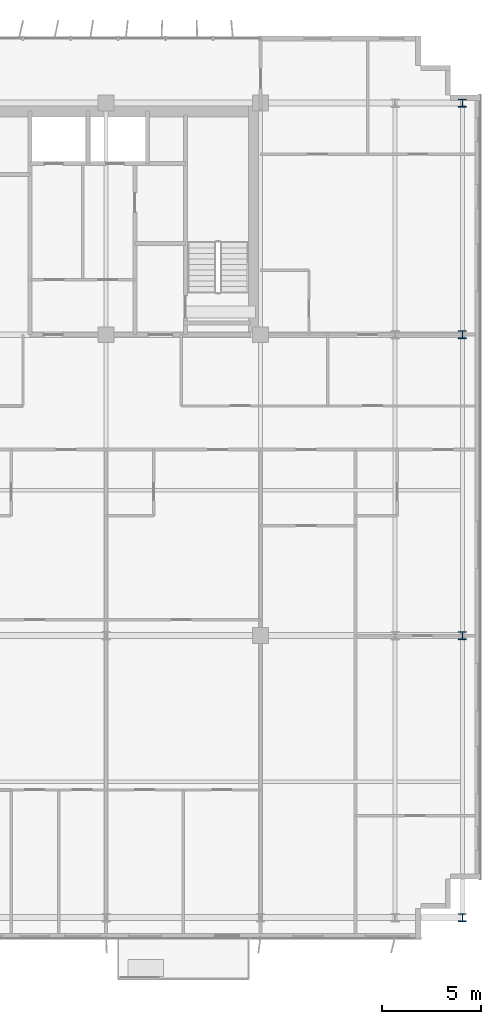
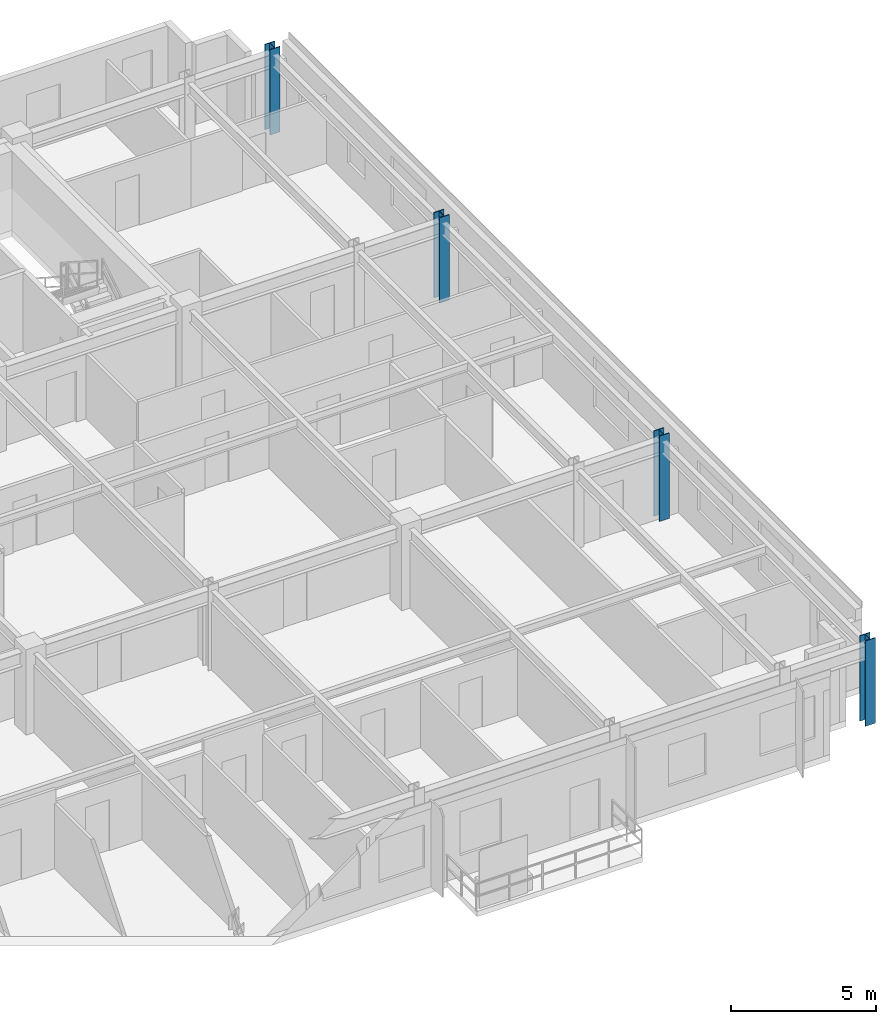
# One storey, part 3 of 22: 4 columns.
"""IFC4 building model written with IfcOpenShell, lengths in metres."""

from ifc_helpers import new_model, si_unit, direction, frame, origin, origin_2d, place, context, subcontext, project, spatial, i_section, extrude, source, transform, mapped, material, material_profile, profile_set, type_object, element, save


model = new_model("IFC4")

# Units and contexts
model_context = context("Model", 3, precision=1e-05, world=origin(), true_north=direction((0.0, 1.0)))
body_context = subcontext(model_context, "Body", "Model", "MODEL_VIEW")
ifc_project = project(units=[si_unit("LENGTHUNIT", "METRE"), si_unit("AREAUNIT", "SQUARE_METRE"), si_unit("VOLUMEUNIT", "CUBIC_METRE"), si_unit("PLANEANGLEUNIT", "RADIAN"), si_unit("MASSUNIT", "GRAM", prefix="KILO")], contexts=[model_context])

# Site, building, storey
site_placement = place(None, origin())
site = spatial("IfcSite", under=ifc_project, at=site_placement, CompositionType="ELEMENT")
building_placement = place(site_placement, origin())
building = spatial("IfcBuilding", under=site, at=building_placement, Name="Trelvane Seafront Commons", CompositionType="ELEMENT")
storey_placement = place(building_placement, frame((0.0, 0.0, 85.300048828125)))
storey = spatial("IfcBuildingStorey", under=building, at=storey_placement, Name="L21", CompositionType="ELEMENT", Elevation=85.300048828125)

# Columns
ifc_material = material(Name="Steel SM355 (S355)", Category="steel")
ifc_material_profile = material_profile(ifc_material, i_section(OverallWidth=0.39990234375, OverallDepth=0.39990234375, WebThickness=0.02197265625, FlangeThickness=0.034912109375, at=origin_2d()), Name="HD-400x400x22x35")
ifc_profile_set = profile_set([ifc_material_profile], Name="Steel SM355 (S355)")
column_type = type_object("IfcColumnType", Name="STR-COL-HD400", PredefinedType="COLUMN", material=ifc_profile_set)
shared_shape = source(origin(), body_context, "Body", "SweptSolid", [
    extrude(i_section(OverallWidth=0.39990234375, OverallDepth=0.39990234375, WebThickness=0.02197265625, FlangeThickness=0.034912109375, at=origin_2d()), origin(), (0.0, 0.0, 1.0), 3.599853515625),
])
for number, where, z_axis, x_axis, name in (
    (1, (69.0, 3.949951171875, 0.0), (0.0, 0.0, 1.0), (1.0, 0.0, 0.0), "L21 Column TC-S69.0"),
    (2, (69.0, 18.199951171875, 0.0), (0.0, 0.0, 1.0), (1.0, 0.0, 0.0), "L21 Column TC-M69.0"),
    (3, (69.0, 33.39990234375, 0.0), (0.0, 0.0, 1.0), (1.0, 0.0, 0.0), "L21 Column TC-CS69.0"),
    (4, (69.0, 45.10009765625, 0.0), (0.0, 0.0, 1.0), (1.0, 0.0, 0.0), "L21 Column TC-CN69.0"),
):
    element("IfcColumn", number, at=place(storey_placement, frame(where, z_axis=z_axis, x_axis=x_axis)), inside=storey, type_object=column_type, Name=name, PredefinedType="COLUMN", context=body_context, shape_type="MappedRepresentation", body=[
        mapped(shared_shape, transform((0.0, 0.0, 0.0), x_axis=(1.0, 0.0, 0.0), y_axis=(0.0, 1.0, 0.0), z_axis=(0.0, 0.0, 1.0), scale=1.0)),
    ])

save(model, "model.ifc")
